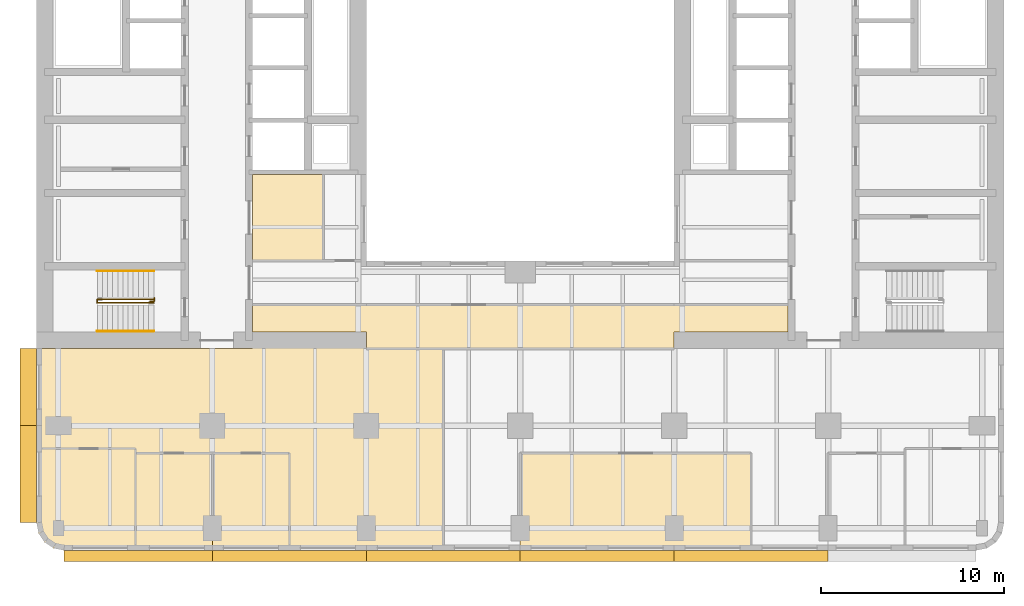
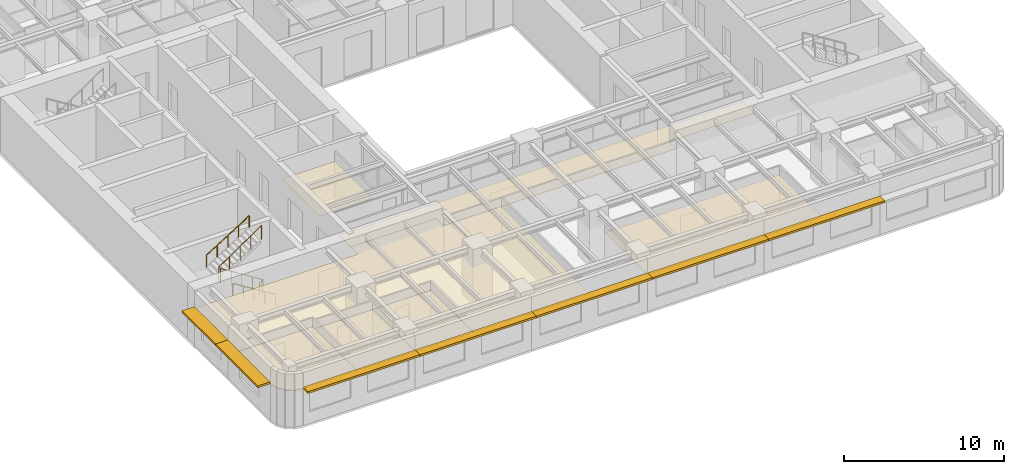
# One storey, part 9 of 11: 7 coverings, 7 shading devices, 4 railings.
"""IFC4 building model written with IfcOpenShell, lengths in metres."""

from ifc_helpers import new_model, si_unit, direction, frame, origin, origin_2d, place, context, subcontext, project, spatial, polyline, rectangle, circle, outline, extrude, material, layer, layer_set, type_object, element, save


model = new_model("IFC4")

# Units and contexts
model_context = context("Model", 3, precision=1e-05, world=origin(), true_north=direction((0.0, 1.0)))
body_context = subcontext(model_context, "Body", "Model", "MODEL_VIEW")
ifc_project = project(units=[si_unit("LENGTHUNIT", "METRE"), si_unit("AREAUNIT", "SQUARE_METRE"), si_unit("VOLUMEUNIT", "CUBIC_METRE"), si_unit("PLANEANGLEUNIT", "RADIAN"), si_unit("MASSUNIT", "GRAM", prefix="KILO")], contexts=[model_context])

# Site, building, storey
site_placement = place(None, origin())
site = spatial("IfcSite", under=ifc_project, at=site_placement, CompositionType="ELEMENT")
building_placement = place(site_placement, origin())
building = spatial("IfcBuilding", under=site, at=building_placement, Name="Claustro Exchange Tower", CompositionType="ELEMENT")
storey_placement = place(building_placement, frame((0.0, 0.0, 147.0)))
storey = spatial("IfcBuildingStorey", under=building, at=storey_placement, Name="L33", CompositionType="ELEMENT", Elevation=147.0)

# Coverings
ifc_material_1 = material(Name="Perforated metal ceiling tiles", Category="steel")
ifc_layer_1 = layer(ifc_material_1, 0.030029296875)
ifc_layer_set_1 = layer_set([ifc_layer_1], Name="Perforated metal ceiling tiles")
covering_type_1 = type_object("IfcCoveringType", Name="CL1 suspended metal ceiling", PredefinedType="CEILING", material=ifc_layer_set_1)
covering_1_placement = place(storey_placement, frame((0.0, 0.0, 2.800048828125)))
element("IfcCovering", 1, at=covering_1_placement, inside=storey, type_object=covering_type_1, Name="Ceiling CL1 L33-07", PredefinedType="CEILING", context=body_context, shape_type="SweptSolid", body=[
    extrude(outline(polyline([(10.60009765625, 13.5), (10.60009765625, 12.60009765625), (-1.199951171875, 12.60009765625), (-1.199951171875, 7.14990234375), (4.199951171875, 7.14990234375), (4.199951171875, 6.89990234375), (8.39990234375, 6.89990234375), (12.60009765625, 6.89990234375), (12.60009765625, 1.60009765625), (21.0, 1.60009765625), (21.0, 12.60009765625), (16.800048828125, 12.60009765625), (16.800048828125, 13.5), (10.60009765625, 13.5)])), origin(), (0.0, 0.0, 1.0), 0.030029296875),
])
ifc_material_2 = material(Name="Gypsum board ceiling", Category="gypsum board")
ifc_layer_2 = layer(ifc_material_2, 0.02490234375)
ifc_layer_set_2 = layer_set([ifc_layer_2], Name="Gypsum board ceiling")
covering_type_2 = type_object("IfcCoveringType", Name="CL2 plasterboard ceiling", PredefinedType="CEILING", material=ifc_layer_set_2)
covering_2_placement = place(storey_placement, frame((0.0, 0.0, 2.800048828125)))
element("IfcCovering", 2, at=covering_2_placement, inside=storey, type_object=covering_type_2, Name="Ceiling CL2 L33-01", PredefinedType="CEILING", context=body_context, shape_type="SweptSolid", body=[
    extrude(outline(polyline([(4.199951171875, 1.60009765625), (8.39990234375, 1.60009765625), (8.39990234375, 6.89990234375), (4.199951171875, 6.89990234375), (4.199951171875, 1.60009765625)])), origin(), (0.0, 0.0, 1.0), 0.02490234375),
])
covering_3_placement = place(storey_placement, frame((0.0, 0.0, 2.800048828125)))
element("IfcCovering", 3, at=covering_3_placement, inside=storey, type_object=covering_type_2, Name="Ceiling CL2 L33-02", PredefinedType="CEILING", context=body_context, shape_type="SweptSolid", body=[
    extrude(outline(polyline([(8.39990234375, 1.60009765625), (12.60009765625, 1.60009765625), (12.60009765625, 6.89990234375), (8.39990234375, 6.89990234375), (8.39990234375, 1.60009765625)])), origin(), (0.0, 0.0, 1.0), 0.02490234375),
])
covering_4_placement = place(storey_placement, frame((0.0, 0.0, 2.800048828125)))
element("IfcCovering", 4, at=covering_4_placement, inside=storey, type_object=covering_type_2, Name="Ceiling CL2 L33-03", PredefinedType="CEILING", context=body_context, shape_type="SweptSolid", body=[
    extrude(outline(polyline([(25.199951171875, 1.60009765625), (37.800048828125, 1.60009765625), (37.800048828125, 6.89990234375), (25.199951171875, 6.89990234375), (25.199951171875, 1.60009765625)])), origin(), (0.0, 0.0, 1.0), 0.02490234375),
])
covering_5_placement = place(storey_placement, frame((0.0, 0.0, 2.800048828125)))
element("IfcCovering", 5, at=covering_5_placement, inside=storey, type_object=covering_type_2, Name="Ceiling CL2 L33-05", PredefinedType="CEILING", context=body_context, shape_type="SweptSolid", body=[
    extrude(outline(polyline([(-1.085693359375, 2.52587890625), (-0.7607421875, 2.039306640625), (-0.27392578125, 1.714111328125), (0.300048828125, 1.60009765625), (4.199951171875, 1.60009765625), (4.199951171875, 7.14990234375), (-1.199951171875, 7.14990234375), (-1.199951171875, 3.10009765625), (-1.085693359375, 2.52587890625)])), origin(), (0.0, 0.0, 1.0), 0.02490234375),
])
covering_6_placement = place(storey_placement, frame((0.0, 0.0, 2.800048828125)))
element("IfcCovering", 6, at=covering_6_placement, inside=storey, type_object=covering_type_2, Name="Ceiling CL2 L33-09", PredefinedType="CEILING", context=body_context, shape_type="SweptSolid", body=[
    extrude(outline(polyline([(10.60009765625, 15.0), (10.60009765625, 13.5), (16.800048828125, 13.5), (16.800048828125, 12.60009765625), (33.60009765625, 12.60009765625), (33.60009765625, 13.5), (39.800048828125, 13.5), (39.800048828125, 15.0), (33.60009765625, 15.0), (33.60009765625, 15.0), (16.800048828125, 15.0), (16.800048828125, 15.0), (10.60009765625, 15.0)])), origin(), (0.0, 0.0, 1.0), 0.02490234375),
])
covering_7_placement = place(storey_placement, frame((0.0, 0.0, 2.800048828125)))
element("IfcCovering", 7, at=covering_7_placement, inside=storey, type_object=covering_type_2, Name="Ceiling CL2 L33-11", PredefinedType="CEILING", context=body_context, shape_type="SweptSolid", body=[
    extrude(outline(polyline([(14.444091796875, 17.39990234375), (14.444091796875, 22.10009765625), (10.60009765625, 22.10009765625), (10.60009765625, 17.39990234375), (14.444091796875, 17.39990234375)])), origin(), (0.0, 0.0, 1.0), 0.02490234375),
])

# Railings
ifc_material_3 = material(Name="Steel balustrade, painted", Category="steel")
railing_type_1 = type_object("IfcRailingType", Name="GR2 1100 steel stair guard", PredefinedType="GUARDRAIL", material=ifc_material_3)
railing_1_placement = place(storey_placement, frame((5.199951171875, 15.10009765625, 0.175048828125)))
element("IfcRailing", 8, at=railing_1_placement, inside=storey, type_object=railing_type_1, Name="Stair well guard GR2 stair STWA L33", PredefinedType="GUARDRAIL", context=body_context, shape_type="SweptSolid", body=[
    extrude(circle(Radius=0.02392578125, at=origin_2d()), frame((0.0, 0.0, 1.076171875), z_axis=(-0.847979421464, 0.0, 0.530029150871), x_axis=(0.0, -1.0, 0.0)), (0.0, 0.0, 1.0), 3.632080078125),
    extrude(circle(Radius=0.02392578125, at=origin_2d()), frame((-3.079833984375, 0.0, 3.0009765625), z_axis=(0.0, 1.0, 0.0), x_axis=(-1.0, 0.0, 0.0)), (0.0, 0.0, 1.0), 0.199951171875),
    extrude(circle(Radius=0.02392578125, at=origin_2d()), frame((-3.079833984375, 0.199951171875, 3.0009765625), z_axis=(0.826231499792, 0.0, 0.563330727682), x_axis=(0.0, 1.0, 0.0)), (0.0, 0.0, 1.0), 3.7275390625),
    extrude(circle(Radius=0.02099609375, at=origin_2d()), origin(), (0.0, 0.0, 1.0), 1.052001953125),
    extrude(circle(Radius=0.02099609375, at=origin_2d()), frame((-0.77001953125, 0.0, 0.481201171875)), (0.0, 0.0, 1.0), 1.052001953125),
    extrude(circle(Radius=0.02099609375, at=origin_2d()), frame((-1.5400390625, 0.0, 0.96240234375)), (0.0, 0.0, 1.0), 1.052001953125),
    extrude(circle(Radius=0.02099609375, at=origin_2d()), frame((-2.309814453125, 0.0, 1.44384765625)), (0.0, 0.0, 1.0), 1.052001953125),
    extrude(circle(Radius=0.02099609375, at=origin_2d()), frame((-3.079833984375, 0.0, 1.925048828125)), (0.0, 0.0, 1.0), 1.052001953125),
    extrude(circle(Radius=0.02099609375, at=origin_2d()), frame((-3.079833984375, 0.199951171875, 1.925048828125)), (0.0, 0.0, 1.0), 1.052001953125),
    extrude(circle(Radius=0.02099609375, at=origin_2d()), frame((-2.309814453125, 0.199951171875, 2.449951171875)), (0.0, 0.0, 1.0), 1.052001953125),
    extrude(circle(Radius=0.02099609375, at=origin_2d()), frame((-1.5400390625, 0.199951171875, 2.97509765625)), (0.0, 0.0, 1.0), 1.052001953125),
    extrude(circle(Radius=0.02099609375, at=origin_2d()), frame((-0.77001953125, 0.199951171875, 3.5)), (0.0, 0.0, 1.0), 1.052001953125),
    extrude(circle(Radius=0.02099609375, at=origin_2d()), frame((0.0, 0.199951171875, 4.02490234375)), (0.0, 0.0, 1.0), 1.052001953125),
])
railing_2_placement = place(storey_placement, frame((5.0, 15.169921875, 0.0)))
element("IfcRailing", 9, at=railing_2_placement, inside=storey, type_object=railing_type_1, Name="Stair guard GR2 STWA L33", PredefinedType="GUARDRAIL", context=body_context, shape_type="SweptSolid", body=[
    extrude(circle(Radius=0.02392578125, at=origin_2d()), frame((0.0, 0.0, 1.076171875), z_axis=(0.0, 1.0, 0.0), x_axis=(-1.0, 0.0, 0.0)), (0.0, 0.0, 1.0), 0.030029296875),
    extrude(circle(Radius=0.02392578125, at=origin_2d()), frame((0.0, 0.030029296875, 1.076171875), z_axis=(1.0, 0.0, 0.0), x_axis=(0.0, 1.0, 0.0)), (0.0, 0.0, 1.0), 0.22509765625),
    extrude(circle(Radius=0.02392578125, at=origin_2d()), frame((0.22509765625, 0.030029296875, 1.076171875), z_axis=(0.0, 1.0, 0.0), x_axis=(-1.0, 0.0, 0.0)), (0.0, 0.0, 1.0), 0.179931640625),
    extrude(circle(Radius=0.02099609375, at=origin_2d()), origin(), (0.0, 0.0, 1.0), 1.052001953125),
    extrude(circle(Radius=0.02099609375, at=origin_2d()), frame((0.0, 0.030029296875, 0.0)), (0.0, 0.0, 1.0), 1.052001953125),
    extrude(circle(Radius=0.02099609375, at=origin_2d()), frame((0.22509765625, 0.030029296875, 0.0)), (0.0, 0.0, 1.0), 1.052001953125),
    extrude(circle(Radius=0.02099609375, at=origin_2d()), frame((0.22509765625, 0.2099609375, 0.0)), (0.0, 0.0, 1.0), 1.052001953125),
])
ifc_material_4 = material(Name="Stainless steel tube", Category="steel")
railing_type_2 = type_object("IfcRailingType", Name="HR1 900 stair handrail", PredefinedType="HANDRAIL", material=ifc_material_4)
railing_3_placement = place(storey_placement, frame((5.199951171875, 13.56005859375, 0.175048828125)))
element("IfcRailing", 10, at=railing_3_placement, inside=storey, type_object=railing_type_2, Name="Handrail HR1 stair STWA L33", PredefinedType="HANDRAIL", context=body_context, shape_type="SweptSolid", body=[
    extrude(circle(Radius=0.02392578125, at=origin_2d()), frame((0.0, 0.0, 0.8759765625), z_axis=(-0.847979421464, 0.0, 0.530029150871), x_axis=(0.0, -1.0, 0.0)), (0.0, 0.0, 1.0), 3.632080078125),
    extrude(circle(Radius=0.02099609375, at=origin_2d()), origin(), (0.0, 0.0, 1.0), 0.851806640625),
    extrude(circle(Radius=0.02099609375, at=origin_2d()), frame((-0.77001953125, 0.0, 0.481201171875)), (0.0, 0.0, 1.0), 0.851806640625),
    extrude(circle(Radius=0.02099609375, at=origin_2d()), frame((-1.5400390625, 0.0, 0.96240234375)), (0.0, 0.0, 1.0), 0.851806640625),
    extrude(circle(Radius=0.02099609375, at=origin_2d()), frame((-2.309814453125, 0.0, 1.44384765625)), (0.0, 0.0, 1.0), 0.851806640625),
    extrude(circle(Radius=0.02099609375, at=origin_2d()), frame((-3.079833984375, 0.0, 1.925048828125)), (0.0, 0.0, 1.0), 0.851806640625),
])
railing_4_placement = place(storey_placement, frame((2.1201171875, 16.840087890625, 2.27490234375)))
element("IfcRailing", 11, at=railing_4_placement, inside=storey, type_object=railing_type_2, Name="Handrail HR1 stair STWA L33", PredefinedType="HANDRAIL", context=body_context, shape_type="SweptSolid", body=[
    extrude(circle(Radius=0.02392578125, at=origin_2d()), frame((0.0, 0.0, 0.8759765625), z_axis=(0.847979421464, 0.0, 0.530029150871), x_axis=(0.0, 1.0, 0.0)), (0.0, 0.0, 1.0), 3.632080078125),
    extrude(circle(Radius=0.02099609375, at=origin_2d()), origin(), (0.0, 0.0, 1.0), 0.851806640625),
    extrude(circle(Radius=0.02099609375, at=origin_2d()), frame((0.77001953125, 0.0, 0.481201171875)), (0.0, 0.0, 1.0), 0.851806640625),
    extrude(circle(Radius=0.02099609375, at=origin_2d()), frame((1.5400390625, 0.0, 0.96240234375)), (0.0, 0.0, 1.0), 0.851806640625),
    extrude(circle(Radius=0.02099609375, at=origin_2d()), frame((2.309814453125, 0.0, 1.44384765625)), (0.0, 0.0, 1.0), 0.851806640625),
    extrude(circle(Radius=0.02099609375, at=origin_2d()), frame((3.079833984375, 0.0, 1.925048828125)), (0.0, 0.0, 1.0), 0.851806640625),
])

# Shading devices
ifc_material_5 = material(Name="Concrete HA-40 (C40/50), precast, white cement, acid-etched", Category="concrete")
ifc_layer_3 = layer(ifc_material_5, 0.14990234375)
ifc_layer_set_3 = layer_set([ifc_layer_3], Name="Concrete HA-40 (C40/50), precast, white cement, acid-etched")
shading_device_type_1 = type_object("IfcShadingDeviceType", Name="SS1 600 precast concrete SUNSHADE", PredefinedType="SHUTTER", material=ifc_layer_set_3)
for number, where, z_axis, x_axis, name in (
    (12, (37.800048828125, 1.300048828125, 2.800048828125), (0.0, 0.0, 1.0), (-1.0, 0.0, 0.0), "Precast SUNSHADE SS1 L33"),
    (13, (29.39990234375, 1.300048828125, 2.800048828125), (0.0, 0.0, 1.0), (-1.0, 0.0, 0.0), "Precast SUNSHADE SS1 L33"),
    (14, (21.0, 1.300048828125, 2.800048828125), (0.0, 0.0, 1.0), (-1.0, 0.0, 0.0), "Precast SUNSHADE SS1 L33"),
    (15, (12.60009765625, 1.300048828125, 2.800048828125), (0.0, 0.0, 1.0), (-1.0, 0.0, 0.0), "Precast SUNSHADE SS1 L33"),
):
    element("IfcShadingDevice", number, at=place(storey_placement, frame(where, z_axis=z_axis, x_axis=x_axis)), inside=storey, type_object=shading_device_type_1, Name=name, PredefinedType="SHUTTER", context=body_context, shape_type="SweptSolid", body=[
        extrude(rectangle(XDim=8.39990234375, YDim=0.60009765625, at=origin_2d()), origin(), (0.0, 0.0, 1.0), 0.14990234375),
    ])
shading_device_1_placement = place(storey_placement, frame((4.357421875, 1.300048828125, 2.800048828125), z_axis=(0.0, 0.0, 1.0), x_axis=(-1.0, 0.0, 0.0)))
element("IfcShadingDevice", 16, at=shading_device_1_placement, inside=storey, type_object=shading_device_type_1, Name="Precast SUNSHADE SS1 L33", PredefinedType="SHUTTER", context=body_context, shape_type="SweptSolid", body=[
    extrude(rectangle(XDim=8.085205078125, YDim=0.60009765625, at=origin_2d()), origin(), (0.0, 0.0, 1.0), 0.14990234375),
])
ifc_material_6 = material(Name="Concrete HA-40 (C40/50), precast, white cement, acid-etched", Category="concrete")
ifc_layer_4 = layer(ifc_material_6, 0.14990234375)
ifc_layer_set_4 = layer_set([ifc_layer_4], Name="Concrete HA-40 (C40/50), precast, white cement, acid-etched")
shading_device_type_2 = type_object("IfcShadingDeviceType", Name="SS2 900 precast concrete SUNSHADE", PredefinedType="SHUTTER", material=ifc_layer_set_4)
shading_device_2_placement = place(storey_placement, frame((-1.64990234375, 5.75732421875, 2.800048828125), z_axis=(0.0, 0.0, 1.0), x_axis=(0.0, 1.0, 0.0)))
element("IfcShadingDevice", 17, at=shading_device_2_placement, inside=storey, type_object=shading_device_type_2, Name="Precast SUNSHADE SS2 L33", PredefinedType="SHUTTER", context=body_context, shape_type="SweptSolid", body=[
    extrude(rectangle(XDim=5.28515625, YDim=0.89990234375, at=origin_2d()), origin(), (0.0, 0.0, 1.0), 0.14990234375),
])
shading_device_3_placement = place(storey_placement, frame((-1.64990234375, 10.5, 2.800048828125), z_axis=(0.0, 0.0, 1.0), x_axis=(0.0, 1.0, 0.0)))
element("IfcShadingDevice", 18, at=shading_device_3_placement, inside=storey, type_object=shading_device_type_2, Name="Precast SUNSHADE SS2 L33", PredefinedType="SHUTTER", context=body_context, shape_type="SweptSolid", body=[
    extrude(rectangle(XDim=4.199951171875, YDim=0.89990234375, at=origin_2d()), origin(), (0.0, 0.0, 1.0), 0.14990234375),
])

save(model, "model.ifc")
